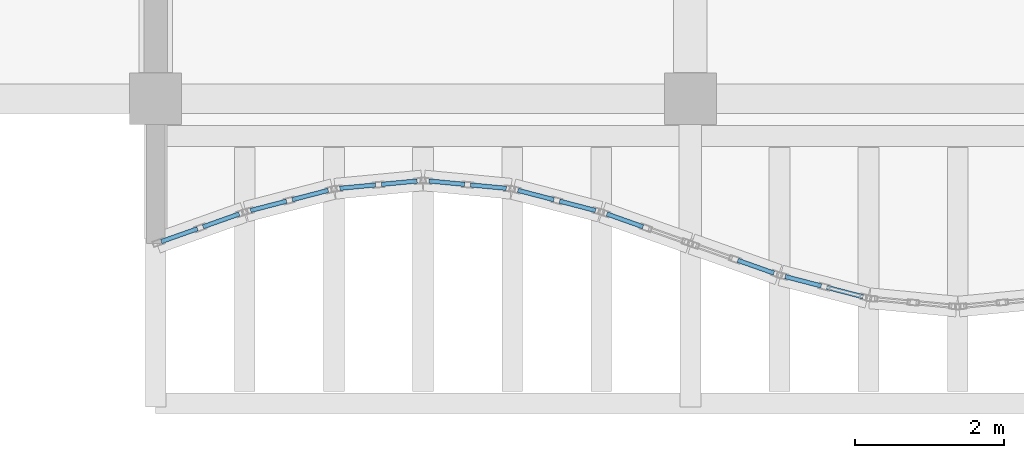
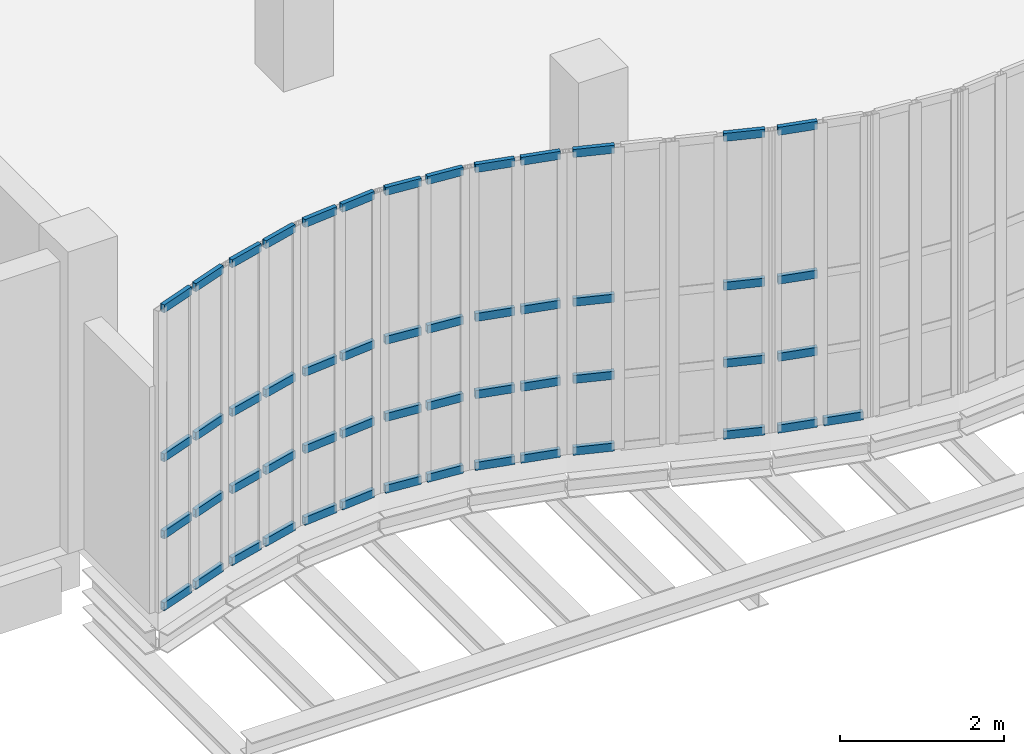
# One storey, part 47 of 108: 53 members, 8 elements without a shape of their own.
"""IFC4 building model written with IfcOpenShell, lengths in metres."""

from ifc_helpers import new_model, si_unit, direction, frame, origin, origin_2d, place, context, subcontext, project, spatial, hollow_rectangle, extrude, material, layer, layer_set, material_profile, profile_set, type_object, element, aggregate, save


model = new_model("IFC4")

# Units and contexts
model_context = context("Model", 3, precision=1e-05, world=origin(), true_north=direction((0.0, 1.0)))
body_context = subcontext(model_context, "Body", "Model", "MODEL_VIEW")
ifc_project = project(units=[si_unit("LENGTHUNIT", "METRE"), si_unit("AREAUNIT", "SQUARE_METRE"), si_unit("VOLUMEUNIT", "CUBIC_METRE"), si_unit("PLANEANGLEUNIT", "RADIAN"), si_unit("MASSUNIT", "GRAM", prefix="KILO"), si_unit("THERMODYNAMICTEMPERATUREUNIT", "KELVIN"), si_unit("POWERUNIT", "WATT")], contexts=[model_context])

# Site, building, storey
site_placement = place(None, origin())
site = spatial("IfcSite", under=ifc_project, at=site_placement, CompositionType="ELEMENT")
building_placement = place(site_placement, origin())
building = spatial("IfcBuilding", under=site, at=building_placement, Name="Kaldorven Railside Theatre", CompositionType="ELEMENT")
storey_placement = place(building_placement, frame((0.0, 0.0, 5.39990234375)))
storey = spatial("IfcBuildingStorey", under=building, at=storey_placement, Name="L01", CompositionType="ELEMENT", Elevation=5.39990234375)

# Curtain wall, members
ifc_material_1 = material(Name="Low-E laminated solar-control glass", Category="glass")
ifc_layer_1 = layer(ifc_material_1, 0.159912109375, Name="Low-E laminated solar-control glass")
ifc_layer_set_1 = layer_set([ifc_layer_1], Name="Low-E laminated solar-control glass")
curtain_wall_type_1 = type_object("IfcCurtainWallType", Name="CWT-01", PredefinedType="USERDEFINED", material=ifc_layer_set_1)
curtain_wall_1_placement = place(storey_placement, origin())
curtain_wall_1 = element("IfcCurtainWall", 1, at=curtain_wall_1_placement, inside=storey, type_object=curtain_wall_type_1, Name="Sinusoidal Fluted Curtain Wall CW-L01-S01", ObjectType="FLUTED GLAZING", PredefinedType="USERDEFINED")
ifc_material_2 = material(Name="Anodised bronze aluminium", Category="aluminium")
ifc_material_profile = material_profile(ifc_material_2, hollow_rectangle(XDim=0.06005859375, YDim=0.1201171875, WallThickness=0.0048828125, at=origin_2d()), Name="RHS 120x60x5")
ifc_profile_set = profile_set([ifc_material_profile], Name="Anodised bronze aluminium")
member_type = type_object("IfcMemberType", Name="CWT-120", PredefinedType="USERDEFINED", material=ifc_profile_set)
member_1_placement = place(storey_placement, frame((36.87548828125, 17.276611328125, 0.030029296875), z_axis=(0.942509408488, 0.334179614745, 0.0), x_axis=(-0.334179614745, 0.942509408488, 0.0)))
member_1 = element("IfcMember", 2, at=member_1_placement, type_object=member_type, Name="CW-L01-S01 transom 1.1", ObjectType="TRANSOM", PredefinedType="USERDEFINED", context=body_context, shape_type="SweptSolid", body=[
    extrude(hollow_rectangle(XDim=0.06005859375, YDim=0.1201171875, WallThickness=0.0048828125, at=origin_2d()), origin(), (0.0, 0.0, 1.0), 0.5166015625),
])
member_2_placement = place(storey_placement, frame((36.87548828125, 17.276611328125, 1.10009765625), z_axis=(0.942509408488, 0.334179614745, 0.0), x_axis=(-0.334179614745, 0.942509408488, 0.0)))
member_2 = element("IfcMember", 3, at=member_2_placement, type_object=member_type, Name="CW-L01-S01 transom 1.2", ObjectType="TRANSOM", PredefinedType="USERDEFINED", context=body_context, shape_type="SweptSolid", body=[
    extrude(hollow_rectangle(XDim=0.06005859375, YDim=0.1201171875, WallThickness=0.0048828125, at=origin_2d()), origin(), (0.0, 0.0, 1.0), 0.5166015625),
])
member_3_placement = place(storey_placement, frame((36.87548828125, 17.276611328125, 2.25), z_axis=(0.942509408488, 0.334179614745, 0.0), x_axis=(-0.334179614745, 0.942509408488, 0.0)))
member_3 = element("IfcMember", 4, at=member_3_placement, type_object=member_type, Name="CW-L01-S01 transom 1.3", ObjectType="TRANSOM", PredefinedType="USERDEFINED", context=body_context, shape_type="SweptSolid", body=[
    extrude(hollow_rectangle(XDim=0.06005859375, YDim=0.1201171875, WallThickness=0.0048828125, at=origin_2d()), origin(), (0.0, 0.0, 1.0), 0.5166015625),
])
member_4_placement = place(storey_placement, frame((36.87548828125, 17.276611328125, 4.47021484375), z_axis=(0.942509408488, 0.334179614745, 0.0), x_axis=(-0.334179614745, 0.942509408488, 0.0)))
member_4 = element("IfcMember", 5, at=member_4_placement, type_object=member_type, Name="CW-L01-S01 transom 1.4", ObjectType="TRANSOM", PredefinedType="USERDEFINED", context=body_context, shape_type="SweptSolid", body=[
    extrude(hollow_rectangle(XDim=0.06005859375, YDim=0.1201171875, WallThickness=0.0048828125, at=origin_2d()), origin(), (0.0, 0.0, 1.0), 0.5166015625),
])
member_5_placement = place(storey_placement, frame((37.437744140625, 17.475830078125, 0.030029296875), z_axis=(0.942658214948, 0.333759628763, 0.0), x_axis=(-0.333759628763, 0.942658214948, 0.0)))
member_5 = element("IfcMember", 6, at=member_5_placement, type_object=member_type, Name="CW-L01-S01 transom 2.1", ObjectType="TRANSOM", PredefinedType="USERDEFINED", context=body_context, shape_type="SweptSolid", body=[
    extrude(hollow_rectangle(XDim=0.06005859375, YDim=0.1201171875, WallThickness=0.0048828125, at=origin_2d()), origin(), (0.0, 0.0, 1.0), 0.516357421875),
])
member_6_placement = place(storey_placement, frame((37.437744140625, 17.475830078125, 1.10009765625), z_axis=(0.942658214948, 0.333759628763, 0.0), x_axis=(-0.333759628763, 0.942658214948, 0.0)))
member_6 = element("IfcMember", 7, at=member_6_placement, type_object=member_type, Name="CW-L01-S01 transom 2.2", ObjectType="TRANSOM", PredefinedType="USERDEFINED", context=body_context, shape_type="SweptSolid", body=[
    extrude(hollow_rectangle(XDim=0.06005859375, YDim=0.1201171875, WallThickness=0.0048828125, at=origin_2d()), origin(), (0.0, 0.0, 1.0), 0.516357421875),
])
member_7_placement = place(storey_placement, frame((37.437744140625, 17.475830078125, 2.25), z_axis=(0.942658214948, 0.333759628763, 0.0), x_axis=(-0.333759628763, 0.942658214948, 0.0)))
member_7 = element("IfcMember", 8, at=member_7_placement, type_object=member_type, Name="CW-L01-S01 transom 2.3", ObjectType="TRANSOM", PredefinedType="USERDEFINED", context=body_context, shape_type="SweptSolid", body=[
    extrude(hollow_rectangle(XDim=0.06005859375, YDim=0.1201171875, WallThickness=0.0048828125, at=origin_2d()), origin(), (0.0, 0.0, 1.0), 0.516357421875),
])
member_8_placement = place(storey_placement, frame((37.437744140625, 17.475830078125, 4.47021484375), z_axis=(0.942658214948, 0.333759628763, 0.0), x_axis=(-0.333759628763, 0.942658214948, 0.0)))
member_8 = element("IfcMember", 9, at=member_8_placement, type_object=member_type, Name="CW-L01-S01 transom 2.4", ObjectType="TRANSOM", PredefinedType="USERDEFINED", context=body_context, shape_type="SweptSolid", body=[
    extrude(hollow_rectangle(XDim=0.06005859375, YDim=0.1201171875, WallThickness=0.0048828125, at=origin_2d()), origin(), (0.0, 0.0, 1.0), 0.516357421875),
])
aggregate(curtain_wall_1, [member_1, member_2, member_3, member_4, member_5, member_6, member_7, member_8])

ifc_layer_2 = layer(ifc_material_1, 0.159912109375, Name="Low-E laminated solar-control glass")
ifc_layer_set_2 = layer_set([ifc_layer_2], Name="Low-E laminated solar-control glass")
curtain_wall_type_2 = type_object("IfcCurtainWallType", Name="CWT-02", PredefinedType="USERDEFINED", material=ifc_layer_set_2)
curtain_wall_2_placement = place(storey_placement, origin())
curtain_wall_2 = element("IfcCurtainWall", 10, at=curtain_wall_2_placement, inside=storey, type_object=curtain_wall_type_2, Name="Sinusoidal Fluted Curtain Wall CW-L01-S02", ObjectType="FLUTED GLAZING", PredefinedType="USERDEFINED")
member_9_placement = place(storey_placement, frame((38.077392578125, 17.695068359375, 0.030029296875), z_axis=(0.967979318949, 0.251029954561, 0.0), x_axis=(-0.251029954561, 0.967979318949, 0.0)))
member_9 = element("IfcMember", 11, at=member_9_placement, type_object=member_type, Name="CW-L01-S02 transom 1.1", ObjectType="TRANSOM", PredefinedType="USERDEFINED", context=body_context, shape_type="SweptSolid", body=[
    extrude(hollow_rectangle(XDim=0.06005859375, YDim=0.1201171875, WallThickness=0.0048828125, at=origin_2d()), origin(), (0.0, 0.0, 1.0), 0.5),
])
member_10_placement = place(storey_placement, frame((38.077392578125, 17.695068359375, 1.10009765625), z_axis=(0.967979318949, 0.251029954561, 0.0), x_axis=(-0.251029954561, 0.967979318949, 0.0)))
member_10 = element("IfcMember", 12, at=member_10_placement, type_object=member_type, Name="CW-L01-S02 transom 1.2", ObjectType="TRANSOM", PredefinedType="USERDEFINED", context=body_context, shape_type="SweptSolid", body=[
    extrude(hollow_rectangle(XDim=0.06005859375, YDim=0.1201171875, WallThickness=0.0048828125, at=origin_2d()), origin(), (0.0, 0.0, 1.0), 0.5),
])
member_11_placement = place(storey_placement, frame((38.077392578125, 17.695068359375, 2.25), z_axis=(0.967979318949, 0.251029954561, 0.0), x_axis=(-0.251029954561, 0.967979318949, 0.0)))
member_11 = element("IfcMember", 13, at=member_11_placement, type_object=member_type, Name="CW-L01-S02 transom 1.3", ObjectType="TRANSOM", PredefinedType="USERDEFINED", context=body_context, shape_type="SweptSolid", body=[
    extrude(hollow_rectangle(XDim=0.06005859375, YDim=0.1201171875, WallThickness=0.0048828125, at=origin_2d()), origin(), (0.0, 0.0, 1.0), 0.5),
])
member_12_placement = place(storey_placement, frame((38.077392578125, 17.695068359375, 4.47021484375), z_axis=(0.967979318949, 0.251029954561, 0.0), x_axis=(-0.251029954561, 0.967979318949, 0.0)))
member_12 = element("IfcMember", 14, at=member_12_placement, type_object=member_type, Name="CW-L01-S02 transom 1.4", ObjectType="TRANSOM", PredefinedType="USERDEFINED", context=body_context, shape_type="SweptSolid", body=[
    extrude(hollow_rectangle(XDim=0.06005859375, YDim=0.1201171875, WallThickness=0.0048828125, at=origin_2d()), origin(), (0.0, 0.0, 1.0), 0.5),
])
member_13_placement = place(storey_placement, frame((38.638671875, 17.840576171875, 0.030029296875), z_axis=(0.967979318949, 0.251029954561, 0.0), x_axis=(-0.251029954561, 0.967979318949, 0.0)))
member_13 = element("IfcMember", 15, at=member_13_placement, type_object=member_type, Name="CW-L01-S02 transom 2.1", ObjectType="TRANSOM", PredefinedType="USERDEFINED", context=body_context, shape_type="SweptSolid", body=[
    extrude(hollow_rectangle(XDim=0.06005859375, YDim=0.1201171875, WallThickness=0.0048828125, at=origin_2d()), origin(), (0.0, 0.0, 1.0), 0.5),
])
member_14_placement = place(storey_placement, frame((38.638671875, 17.840576171875, 1.10009765625), z_axis=(0.967979318949, 0.251029954561, 0.0), x_axis=(-0.251029954561, 0.967979318949, 0.0)))
member_14 = element("IfcMember", 16, at=member_14_placement, type_object=member_type, Name="CW-L01-S02 transom 2.2", ObjectType="TRANSOM", PredefinedType="USERDEFINED", context=body_context, shape_type="SweptSolid", body=[
    extrude(hollow_rectangle(XDim=0.06005859375, YDim=0.1201171875, WallThickness=0.0048828125, at=origin_2d()), origin(), (0.0, 0.0, 1.0), 0.5),
])
member_15_placement = place(storey_placement, frame((38.638671875, 17.840576171875, 2.25), z_axis=(0.967979318949, 0.251029954561, 0.0), x_axis=(-0.251029954561, 0.967979318949, 0.0)))
member_15 = element("IfcMember", 17, at=member_15_placement, type_object=member_type, Name="CW-L01-S02 transom 2.3", ObjectType="TRANSOM", PredefinedType="USERDEFINED", context=body_context, shape_type="SweptSolid", body=[
    extrude(hollow_rectangle(XDim=0.06005859375, YDim=0.1201171875, WallThickness=0.0048828125, at=origin_2d()), origin(), (0.0, 0.0, 1.0), 0.5),
])
member_16_placement = place(storey_placement, frame((38.638671875, 17.840576171875, 4.47021484375), z_axis=(0.967979318949, 0.251029954561, 0.0), x_axis=(-0.251029954561, 0.967979318949, 0.0)))
member_16 = element("IfcMember", 18, at=member_16_placement, type_object=member_type, Name="CW-L01-S02 transom 2.4", ObjectType="TRANSOM", PredefinedType="USERDEFINED", context=body_context, shape_type="SweptSolid", body=[
    extrude(hollow_rectangle(XDim=0.06005859375, YDim=0.1201171875, WallThickness=0.0048828125, at=origin_2d()), origin(), (0.0, 0.0, 1.0), 0.5),
])
aggregate(curtain_wall_2, [member_9, member_10, member_11, member_12, member_13, member_14, member_15, member_16])

ifc_layer_3 = layer(ifc_material_1, 0.159912109375, Name="Low-E laminated solar-control glass")
ifc_layer_set_3 = layer_set([ifc_layer_3], Name="Low-E laminated solar-control glass")
curtain_wall_type_3 = type_object("IfcCurtainWallType", Name="CWT-03", PredefinedType="USERDEFINED", material=ifc_layer_set_3)
curtain_wall_3_placement = place(storey_placement, origin())
curtain_wall_3 = element("IfcCurtainWall", 19, at=curtain_wall_3_placement, inside=storey, type_object=curtain_wall_type_3, Name="Sinusoidal Fluted Curtain Wall CW-L01-S03", ObjectType="FLUTED GLAZING", PredefinedType="USERDEFINED")
member_17_placement = place(storey_placement, frame((39.279541015625, 17.99365234375, 0.030029296875), z_axis=(0.995520433802, 0.094546633378, 0.0), x_axis=(-0.094546633378, 0.995520433802, 0.0)))
member_17 = element("IfcMember", 20, at=member_17_placement, type_object=member_type, Name="CW-L01-S03 transom 1.1", ObjectType="TRANSOM", PredefinedType="USERDEFINED", context=body_context, shape_type="SweptSolid", body=[
    extrude(hollow_rectangle(XDim=0.06005859375, YDim=0.1201171875, WallThickness=0.0048828125, at=origin_2d()), origin(), (0.0, 0.0, 1.0), 0.48291015625),
])
member_18_placement = place(storey_placement, frame((39.279541015625, 17.99365234375, 1.10009765625), z_axis=(0.995520433802, 0.094546633378, 0.0), x_axis=(-0.094546633378, 0.995520433802, 0.0)))
member_18 = element("IfcMember", 21, at=member_18_placement, type_object=member_type, Name="CW-L01-S03 transom 1.2", ObjectType="TRANSOM", PredefinedType="USERDEFINED", context=body_context, shape_type="SweptSolid", body=[
    extrude(hollow_rectangle(XDim=0.06005859375, YDim=0.1201171875, WallThickness=0.0048828125, at=origin_2d()), origin(), (0.0, 0.0, 1.0), 0.48291015625),
])
member_19_placement = place(storey_placement, frame((39.279541015625, 17.99365234375, 2.25), z_axis=(0.995520433802, 0.094546633378, 0.0), x_axis=(-0.094546633378, 0.995520433802, 0.0)))
member_19 = element("IfcMember", 22, at=member_19_placement, type_object=member_type, Name="CW-L01-S03 transom 1.3", ObjectType="TRANSOM", PredefinedType="USERDEFINED", context=body_context, shape_type="SweptSolid", body=[
    extrude(hollow_rectangle(XDim=0.06005859375, YDim=0.1201171875, WallThickness=0.0048828125, at=origin_2d()), origin(), (0.0, 0.0, 1.0), 0.48291015625),
])
member_20_placement = place(storey_placement, frame((39.279541015625, 17.99365234375, 4.47021484375), z_axis=(0.995520433802, 0.094546633378, 0.0), x_axis=(-0.094546633378, 0.995520433802, 0.0)))
member_20 = element("IfcMember", 23, at=member_20_placement, type_object=member_type, Name="CW-L01-S03 transom 1.4", ObjectType="TRANSOM", PredefinedType="USERDEFINED", context=body_context, shape_type="SweptSolid", body=[
    extrude(hollow_rectangle(XDim=0.06005859375, YDim=0.1201171875, WallThickness=0.0048828125, at=origin_2d()), origin(), (0.0, 0.0, 1.0), 0.48291015625),
])
member_21_placement = place(storey_placement, frame((39.83984375, 18.046875, 0.030029296875), z_axis=(0.995515910823, 0.094594245591, 0.0), x_axis=(-0.094594245591, 0.995515910823, 0.0)))
member_21 = element("IfcMember", 24, at=member_21_placement, type_object=member_type, Name="CW-L01-S03 transom 2.1", ObjectType="TRANSOM", PredefinedType="USERDEFINED", context=body_context, shape_type="SweptSolid", body=[
    extrude(hollow_rectangle(XDim=0.06005859375, YDim=0.1201171875, WallThickness=0.0048828125, at=origin_2d()), origin(), (0.0, 0.0, 1.0), 0.482666015625),
])
member_22_placement = place(storey_placement, frame((39.83984375, 18.046875, 1.10009765625), z_axis=(0.995515910823, 0.094594245591, 0.0), x_axis=(-0.094594245591, 0.995515910823, 0.0)))
member_22 = element("IfcMember", 25, at=member_22_placement, type_object=member_type, Name="CW-L01-S03 transom 2.2", ObjectType="TRANSOM", PredefinedType="USERDEFINED", context=body_context, shape_type="SweptSolid", body=[
    extrude(hollow_rectangle(XDim=0.06005859375, YDim=0.1201171875, WallThickness=0.0048828125, at=origin_2d()), origin(), (0.0, 0.0, 1.0), 0.482666015625),
])
member_23_placement = place(storey_placement, frame((39.83984375, 18.046875, 2.25), z_axis=(0.995515910823, 0.094594245591, 0.0), x_axis=(-0.094594245591, 0.995515910823, 0.0)))
member_23 = element("IfcMember", 26, at=member_23_placement, type_object=member_type, Name="CW-L01-S03 transom 2.3", ObjectType="TRANSOM", PredefinedType="USERDEFINED", context=body_context, shape_type="SweptSolid", body=[
    extrude(hollow_rectangle(XDim=0.06005859375, YDim=0.1201171875, WallThickness=0.0048828125, at=origin_2d()), origin(), (0.0, 0.0, 1.0), 0.482666015625),
])
member_24_placement = place(storey_placement, frame((39.83984375, 18.046875, 4.47021484375), z_axis=(0.995515910823, 0.094594245591, 0.0), x_axis=(-0.094594245591, 0.995515910823, 0.0)))
member_24 = element("IfcMember", 27, at=member_24_placement, type_object=member_type, Name="CW-L01-S03 transom 2.4", ObjectType="TRANSOM", PredefinedType="USERDEFINED", context=body_context, shape_type="SweptSolid", body=[
    extrude(hollow_rectangle(XDim=0.06005859375, YDim=0.1201171875, WallThickness=0.0048828125, at=origin_2d()), origin(), (0.0, 0.0, 1.0), 0.482666015625),
])
aggregate(curtain_wall_3, [member_17, member_18, member_19, member_20, member_21, member_22, member_23, member_24])

curtain_wall_4_placement = place(storey_placement, origin())
curtain_wall_4 = element("IfcCurtainWall", 28, at=curtain_wall_4_placement, inside=storey, type_object=curtain_wall_type_3, Name="Sinusoidal Fluted Curtain Wall CW-L01-S04", ObjectType="FLUTED GLAZING", PredefinedType="USERDEFINED")
member_25_placement = place(storey_placement, frame((40.479736328125, 18.092529296875, 0.030029296875), z_axis=(0.995515910823, -0.094594245591, 0.0), x_axis=(0.094594245591, 0.995515910823, 0.0)))
member_25 = element("IfcMember", 29, at=member_25_placement, type_object=member_type, Name="CW-L01-S04 transom 1.1", ObjectType="TRANSOM", PredefinedType="USERDEFINED", context=body_context, shape_type="SweptSolid", body=[
    extrude(hollow_rectangle(XDim=0.06005859375, YDim=0.1201171875, WallThickness=0.0048828125, at=origin_2d()), origin(), (0.0, 0.0, 1.0), 0.482666015625),
])
member_26_placement = place(storey_placement, frame((40.479736328125, 18.092529296875, 1.10009765625), z_axis=(0.995515910823, -0.094594245591, 0.0), x_axis=(0.094594245591, 0.995515910823, 0.0)))
member_26 = element("IfcMember", 30, at=member_26_placement, type_object=member_type, Name="CW-L01-S04 transom 1.2", ObjectType="TRANSOM", PredefinedType="USERDEFINED", context=body_context, shape_type="SweptSolid", body=[
    extrude(hollow_rectangle(XDim=0.06005859375, YDim=0.1201171875, WallThickness=0.0048828125, at=origin_2d()), origin(), (0.0, 0.0, 1.0), 0.482666015625),
])
member_27_placement = place(storey_placement, frame((40.479736328125, 18.092529296875, 2.25), z_axis=(0.995515910823, -0.094594245591, 0.0), x_axis=(0.094594245591, 0.995515910823, 0.0)))
member_27 = element("IfcMember", 31, at=member_27_placement, type_object=member_type, Name="CW-L01-S04 transom 1.3", ObjectType="TRANSOM", PredefinedType="USERDEFINED", context=body_context, shape_type="SweptSolid", body=[
    extrude(hollow_rectangle(XDim=0.06005859375, YDim=0.1201171875, WallThickness=0.0048828125, at=origin_2d()), origin(), (0.0, 0.0, 1.0), 0.482666015625),
])
member_28_placement = place(storey_placement, frame((40.479736328125, 18.092529296875, 4.47021484375), z_axis=(0.995515910823, -0.094594245591, 0.0), x_axis=(0.094594245591, 0.995515910823, 0.0)))
member_28 = element("IfcMember", 32, at=member_28_placement, type_object=member_type, Name="CW-L01-S04 transom 1.4", ObjectType="TRANSOM", PredefinedType="USERDEFINED", context=body_context, shape_type="SweptSolid", body=[
    extrude(hollow_rectangle(XDim=0.06005859375, YDim=0.1201171875, WallThickness=0.0048828125, at=origin_2d()), origin(), (0.0, 0.0, 1.0), 0.482666015625),
])
member_29_placement = place(storey_placement, frame((41.039794921875, 18.039306640625, 0.030029296875), z_axis=(0.995515910823, -0.094594245591, 0.0), x_axis=(0.094594245591, 0.995515910823, 0.0)))
member_29 = element("IfcMember", 33, at=member_29_placement, type_object=member_type, Name="CW-L01-S04 transom 2.1", ObjectType="TRANSOM", PredefinedType="USERDEFINED", context=body_context, shape_type="SweptSolid", body=[
    extrude(hollow_rectangle(XDim=0.06005859375, YDim=0.1201171875, WallThickness=0.0048828125, at=origin_2d()), origin(), (0.0, 0.0, 1.0), 0.482666015625),
])
member_30_placement = place(storey_placement, frame((41.039794921875, 18.039306640625, 1.10009765625), z_axis=(0.995515910823, -0.094594245591, 0.0), x_axis=(0.094594245591, 0.995515910823, 0.0)))
member_30 = element("IfcMember", 34, at=member_30_placement, type_object=member_type, Name="CW-L01-S04 transom 2.2", ObjectType="TRANSOM", PredefinedType="USERDEFINED", context=body_context, shape_type="SweptSolid", body=[
    extrude(hollow_rectangle(XDim=0.06005859375, YDim=0.1201171875, WallThickness=0.0048828125, at=origin_2d()), origin(), (0.0, 0.0, 1.0), 0.482666015625),
])
member_31_placement = place(storey_placement, frame((41.039794921875, 18.039306640625, 2.25), z_axis=(0.995515910823, -0.094594245591, 0.0), x_axis=(0.094594245591, 0.995515910823, 0.0)))
member_31 = element("IfcMember", 35, at=member_31_placement, type_object=member_type, Name="CW-L01-S04 transom 2.3", ObjectType="TRANSOM", PredefinedType="USERDEFINED", context=body_context, shape_type="SweptSolid", body=[
    extrude(hollow_rectangle(XDim=0.06005859375, YDim=0.1201171875, WallThickness=0.0048828125, at=origin_2d()), origin(), (0.0, 0.0, 1.0), 0.482666015625),
])
member_32_placement = place(storey_placement, frame((41.039794921875, 18.039306640625, 4.47021484375), z_axis=(0.995515910823, -0.094594245591, 0.0), x_axis=(0.094594245591, 0.995515910823, 0.0)))
member_32 = element("IfcMember", 36, at=member_32_placement, type_object=member_type, Name="CW-L01-S04 transom 2.4", ObjectType="TRANSOM", PredefinedType="USERDEFINED", context=body_context, shape_type="SweptSolid", body=[
    extrude(hollow_rectangle(XDim=0.06005859375, YDim=0.1201171875, WallThickness=0.0048828125, at=origin_2d()), origin(), (0.0, 0.0, 1.0), 0.482666015625),
])
aggregate(curtain_wall_4, [member_25, member_26, member_27, member_28, member_29, member_30, member_31, member_32])

curtain_wall_5_placement = place(storey_placement, origin())
curtain_wall_5 = element("IfcCurtainWall", 37, at=curtain_wall_5_placement, inside=storey, type_object=curtain_wall_type_2, Name="Sinusoidal Fluted Curtain Wall CW-L01-S05", ObjectType="FLUTED GLAZING", PredefinedType="USERDEFINED")
member_33_placement = place(storey_placement, frame((41.677490234375, 17.966064453125, 0.030029296875), z_axis=(0.967979318949, -0.251029954561, 0.0), x_axis=(0.251029954561, 0.967979318949, 0.0)))
member_33 = element("IfcMember", 38, at=member_33_placement, type_object=member_type, Name="CW-L01-S05 transom 1.1", ObjectType="TRANSOM", PredefinedType="USERDEFINED", context=body_context, shape_type="SweptSolid", body=[
    extrude(hollow_rectangle(XDim=0.06005859375, YDim=0.1201171875, WallThickness=0.0048828125, at=origin_2d()), origin(), (0.0, 0.0, 1.0), 0.5),
])
member_34_placement = place(storey_placement, frame((41.677490234375, 17.966064453125, 1.10009765625), z_axis=(0.967979318949, -0.251029954561, 0.0), x_axis=(0.251029954561, 0.967979318949, 0.0)))
member_34 = element("IfcMember", 39, at=member_34_placement, type_object=member_type, Name="CW-L01-S05 transom 1.2", ObjectType="TRANSOM", PredefinedType="USERDEFINED", context=body_context, shape_type="SweptSolid", body=[
    extrude(hollow_rectangle(XDim=0.06005859375, YDim=0.1201171875, WallThickness=0.0048828125, at=origin_2d()), origin(), (0.0, 0.0, 1.0), 0.5),
])
member_35_placement = place(storey_placement, frame((41.677490234375, 17.966064453125, 2.25), z_axis=(0.967979318949, -0.251029954561, 0.0), x_axis=(0.251029954561, 0.967979318949, 0.0)))
member_35 = element("IfcMember", 40, at=member_35_placement, type_object=member_type, Name="CW-L01-S05 transom 1.3", ObjectType="TRANSOM", PredefinedType="USERDEFINED", context=body_context, shape_type="SweptSolid", body=[
    extrude(hollow_rectangle(XDim=0.06005859375, YDim=0.1201171875, WallThickness=0.0048828125, at=origin_2d()), origin(), (0.0, 0.0, 1.0), 0.5),
])
member_36_placement = place(storey_placement, frame((41.677490234375, 17.966064453125, 4.47021484375), z_axis=(0.967979318949, -0.251029954561, 0.0), x_axis=(0.251029954561, 0.967979318949, 0.0)))
member_36 = element("IfcMember", 41, at=member_36_placement, type_object=member_type, Name="CW-L01-S05 transom 1.4", ObjectType="TRANSOM", PredefinedType="USERDEFINED", context=body_context, shape_type="SweptSolid", body=[
    extrude(hollow_rectangle(XDim=0.06005859375, YDim=0.1201171875, WallThickness=0.0048828125, at=origin_2d()), origin(), (0.0, 0.0, 1.0), 0.5),
])
member_37_placement = place(storey_placement, frame((42.23876953125, 17.820556640625, 0.030029296875), z_axis=(0.967979318949, -0.251029954561, 0.0), x_axis=(0.251029954561, 0.967979318949, 0.0)))
member_37 = element("IfcMember", 42, at=member_37_placement, type_object=member_type, Name="CW-L01-S05 transom 2.1", ObjectType="TRANSOM", PredefinedType="USERDEFINED", context=body_context, shape_type="SweptSolid", body=[
    extrude(hollow_rectangle(XDim=0.06005859375, YDim=0.1201171875, WallThickness=0.0048828125, at=origin_2d()), origin(), (0.0, 0.0, 1.0), 0.5),
])
member_38_placement = place(storey_placement, frame((42.23876953125, 17.820556640625, 1.10009765625), z_axis=(0.967979318949, -0.251029954561, 0.0), x_axis=(0.251029954561, 0.967979318949, 0.0)))
member_38 = element("IfcMember", 43, at=member_38_placement, type_object=member_type, Name="CW-L01-S05 transom 2.2", ObjectType="TRANSOM", PredefinedType="USERDEFINED", context=body_context, shape_type="SweptSolid", body=[
    extrude(hollow_rectangle(XDim=0.06005859375, YDim=0.1201171875, WallThickness=0.0048828125, at=origin_2d()), origin(), (0.0, 0.0, 1.0), 0.5),
])
member_39_placement = place(storey_placement, frame((42.23876953125, 17.820556640625, 2.25), z_axis=(0.967979318949, -0.251029954561, 0.0), x_axis=(0.251029954561, 0.967979318949, 0.0)))
member_39 = element("IfcMember", 44, at=member_39_placement, type_object=member_type, Name="CW-L01-S05 transom 2.3", ObjectType="TRANSOM", PredefinedType="USERDEFINED", context=body_context, shape_type="SweptSolid", body=[
    extrude(hollow_rectangle(XDim=0.06005859375, YDim=0.1201171875, WallThickness=0.0048828125, at=origin_2d()), origin(), (0.0, 0.0, 1.0), 0.5),
])
member_40_placement = place(storey_placement, frame((42.23876953125, 17.820556640625, 4.47021484375), z_axis=(0.967979318949, -0.251029954561, 0.0), x_axis=(0.251029954561, 0.967979318949, 0.0)))
member_40 = element("IfcMember", 45, at=member_40_placement, type_object=member_type, Name="CW-L01-S05 transom 2.4", ObjectType="TRANSOM", PredefinedType="USERDEFINED", context=body_context, shape_type="SweptSolid", body=[
    extrude(hollow_rectangle(XDim=0.06005859375, YDim=0.1201171875, WallThickness=0.0048828125, at=origin_2d()), origin(), (0.0, 0.0, 1.0), 0.5),
])
aggregate(curtain_wall_5, [member_33, member_34, member_35, member_36, member_37, member_38, member_39, member_40])

curtain_wall_6_placement = place(storey_placement, origin())
curtain_wall_6 = element("IfcCurtainWall", 46, at=curtain_wall_6_placement, inside=storey, type_object=curtain_wall_type_1, Name="Sinusoidal Fluted Curtain Wall CW-L01-S06", ObjectType="FLUTED GLAZING", PredefinedType="USERDEFINED")
member_41_placement = place(storey_placement, frame((42.87548828125, 17.648193359375, 0.030029296875), z_axis=(0.942658214948, -0.333759628763, 0.0), x_axis=(0.333759628763, 0.942658214948, 0.0)))
member_41 = element("IfcMember", 47, at=member_41_placement, type_object=member_type, Name="CW-L01-S06 transom 1.1", ObjectType="TRANSOM", PredefinedType="USERDEFINED", context=body_context, shape_type="SweptSolid", body=[
    extrude(hollow_rectangle(XDim=0.06005859375, YDim=0.1201171875, WallThickness=0.0048828125, at=origin_2d()), origin(), (0.0, 0.0, 1.0), 0.516357421875),
])
member_42_placement = place(storey_placement, frame((42.87548828125, 17.648193359375, 1.10009765625), z_axis=(0.942658214948, -0.333759628763, 0.0), x_axis=(0.333759628763, 0.942658214948, 0.0)))
member_42 = element("IfcMember", 48, at=member_42_placement, type_object=member_type, Name="CW-L01-S06 transom 1.2", ObjectType="TRANSOM", PredefinedType="USERDEFINED", context=body_context, shape_type="SweptSolid", body=[
    extrude(hollow_rectangle(XDim=0.06005859375, YDim=0.1201171875, WallThickness=0.0048828125, at=origin_2d()), origin(), (0.0, 0.0, 1.0), 0.516357421875),
])
member_43_placement = place(storey_placement, frame((42.87548828125, 17.648193359375, 2.25), z_axis=(0.942658214948, -0.333759628763, 0.0), x_axis=(0.333759628763, 0.942658214948, 0.0)))
member_43 = element("IfcMember", 49, at=member_43_placement, type_object=member_type, Name="CW-L01-S06 transom 1.3", ObjectType="TRANSOM", PredefinedType="USERDEFINED", context=body_context, shape_type="SweptSolid", body=[
    extrude(hollow_rectangle(XDim=0.06005859375, YDim=0.1201171875, WallThickness=0.0048828125, at=origin_2d()), origin(), (0.0, 0.0, 1.0), 0.516357421875),
])
member_44_placement = place(storey_placement, frame((42.87548828125, 17.648193359375, 4.47021484375), z_axis=(0.942658214948, -0.333759628763, 0.0), x_axis=(0.333759628763, 0.942658214948, 0.0)))
member_44 = element("IfcMember", 50, at=member_44_placement, type_object=member_type, Name="CW-L01-S06 transom 1.4", ObjectType="TRANSOM", PredefinedType="USERDEFINED", context=body_context, shape_type="SweptSolid", body=[
    extrude(hollow_rectangle(XDim=0.06005859375, YDim=0.1201171875, WallThickness=0.0048828125, at=origin_2d()), origin(), (0.0, 0.0, 1.0), 0.516357421875),
])
aggregate(curtain_wall_6, [member_41, member_42, member_43, member_44])

curtain_wall_7_placement = place(storey_placement, origin())
curtain_wall_7 = element("IfcCurtainWall", 51, at=curtain_wall_7_placement, inside=storey, type_object=curtain_wall_type_1, Name="Sinusoidal Fluted Curtain Wall CW-L01-S07", ObjectType="FLUTED GLAZING", PredefinedType="USERDEFINED")
member_45_placement = place(storey_placement, frame((44.6376953125, 17.024169921875, 0.030029296875), z_axis=(0.942658214948, -0.333759628763, 0.0), x_axis=(0.333759628763, 0.942658214948, 0.0)))
member_45 = element("IfcMember", 52, at=member_45_placement, type_object=member_type, Name="CW-L01-S07 transom 2.1", ObjectType="TRANSOM", PredefinedType="USERDEFINED", context=body_context, shape_type="SweptSolid", body=[
    extrude(hollow_rectangle(XDim=0.06005859375, YDim=0.1201171875, WallThickness=0.0048828125, at=origin_2d()), origin(), (0.0, 0.0, 1.0), 0.516357421875),
])
member_46_placement = place(storey_placement, frame((44.6376953125, 17.024169921875, 1.10009765625), z_axis=(0.942658214948, -0.333759628763, 0.0), x_axis=(0.333759628763, 0.942658214948, 0.0)))
member_46 = element("IfcMember", 53, at=member_46_placement, type_object=member_type, Name="CW-L01-S07 transom 2.2", ObjectType="TRANSOM", PredefinedType="USERDEFINED", context=body_context, shape_type="SweptSolid", body=[
    extrude(hollow_rectangle(XDim=0.06005859375, YDim=0.1201171875, WallThickness=0.0048828125, at=origin_2d()), origin(), (0.0, 0.0, 1.0), 0.516357421875),
])
member_47_placement = place(storey_placement, frame((44.6376953125, 17.024169921875, 2.25), z_axis=(0.942658214948, -0.333759628763, 0.0), x_axis=(0.333759628763, 0.942658214948, 0.0)))
member_47 = element("IfcMember", 54, at=member_47_placement, type_object=member_type, Name="CW-L01-S07 transom 2.3", ObjectType="TRANSOM", PredefinedType="USERDEFINED", context=body_context, shape_type="SweptSolid", body=[
    extrude(hollow_rectangle(XDim=0.06005859375, YDim=0.1201171875, WallThickness=0.0048828125, at=origin_2d()), origin(), (0.0, 0.0, 1.0), 0.516357421875),
])
member_48_placement = place(storey_placement, frame((44.6376953125, 17.024169921875, 4.47021484375), z_axis=(0.942658214948, -0.333759628763, 0.0), x_axis=(0.333759628763, 0.942658214948, 0.0)))
member_48 = element("IfcMember", 55, at=member_48_placement, type_object=member_type, Name="CW-L01-S07 transom 2.4", ObjectType="TRANSOM", PredefinedType="USERDEFINED", context=body_context, shape_type="SweptSolid", body=[
    extrude(hollow_rectangle(XDim=0.06005859375, YDim=0.1201171875, WallThickness=0.0048828125, at=origin_2d()), origin(), (0.0, 0.0, 1.0), 0.516357421875),
])
aggregate(curtain_wall_7, [member_45, member_46, member_47, member_48])

curtain_wall_8_placement = place(storey_placement, origin())
curtain_wall_8 = element("IfcCurtainWall", 56, at=curtain_wall_8_placement, inside=storey, type_object=curtain_wall_type_2, Name="Sinusoidal Fluted Curtain Wall CW-L01-S08", ObjectType="FLUTED GLAZING", PredefinedType="USERDEFINED")
member_49_placement = place(storey_placement, frame((45.27734375, 16.804931640625, 0.030029296875), z_axis=(0.967979318949, -0.251029954561, 0.0), x_axis=(0.251029954561, 0.967979318949, 0.0)))
member_49 = element("IfcMember", 57, at=member_49_placement, type_object=member_type, Name="CW-L01-S08 transom 1.1", ObjectType="TRANSOM", PredefinedType="USERDEFINED", context=body_context, shape_type="SweptSolid", body=[
    extrude(hollow_rectangle(XDim=0.06005859375, YDim=0.1201171875, WallThickness=0.0048828125, at=origin_2d()), origin(), (0.0, 0.0, 1.0), 0.5),
])
member_50_placement = place(storey_placement, frame((45.27734375, 16.804931640625, 1.10009765625), z_axis=(0.967979318949, -0.251029954561, 0.0), x_axis=(0.251029954561, 0.967979318949, 0.0)))
member_50 = element("IfcMember", 58, at=member_50_placement, type_object=member_type, Name="CW-L01-S08 transom 1.2", ObjectType="TRANSOM", PredefinedType="USERDEFINED", context=body_context, shape_type="SweptSolid", body=[
    extrude(hollow_rectangle(XDim=0.06005859375, YDim=0.1201171875, WallThickness=0.0048828125, at=origin_2d()), origin(), (0.0, 0.0, 1.0), 0.5),
])
member_51_placement = place(storey_placement, frame((45.27734375, 16.804931640625, 2.25), z_axis=(0.967979318949, -0.251029954561, 0.0), x_axis=(0.251029954561, 0.967979318949, 0.0)))
member_51 = element("IfcMember", 59, at=member_51_placement, type_object=member_type, Name="CW-L01-S08 transom 1.3", ObjectType="TRANSOM", PredefinedType="USERDEFINED", context=body_context, shape_type="SweptSolid", body=[
    extrude(hollow_rectangle(XDim=0.06005859375, YDim=0.1201171875, WallThickness=0.0048828125, at=origin_2d()), origin(), (0.0, 0.0, 1.0), 0.5),
])
member_52_placement = place(storey_placement, frame((45.27734375, 16.804931640625, 4.47021484375), z_axis=(0.967979318949, -0.251029954561, 0.0), x_axis=(0.251029954561, 0.967979318949, 0.0)))
member_52 = element("IfcMember", 60, at=member_52_placement, type_object=member_type, Name="CW-L01-S08 transom 1.4", ObjectType="TRANSOM", PredefinedType="USERDEFINED", context=body_context, shape_type="SweptSolid", body=[
    extrude(hollow_rectangle(XDim=0.06005859375, YDim=0.1201171875, WallThickness=0.0048828125, at=origin_2d()), origin(), (0.0, 0.0, 1.0), 0.5),
])
member_53_placement = place(storey_placement, frame((45.838623046875, 16.659423828125, 0.030029296875), z_axis=(0.967979318949, -0.251029954561, 0.0), x_axis=(0.251029954561, 0.967979318949, 0.0)))
member_53 = element("IfcMember", 61, at=member_53_placement, type_object=member_type, Name="CW-L01-S08 transom 2.1", ObjectType="TRANSOM", PredefinedType="USERDEFINED", context=body_context, shape_type="SweptSolid", body=[
    extrude(hollow_rectangle(XDim=0.06005859375, YDim=0.1201171875, WallThickness=0.0048828125, at=origin_2d()), origin(), (0.0, 0.0, 1.0), 0.5),
])
aggregate(curtain_wall_8, [member_49, member_50, member_51, member_52, member_53])

save(model, "model.ifc")
